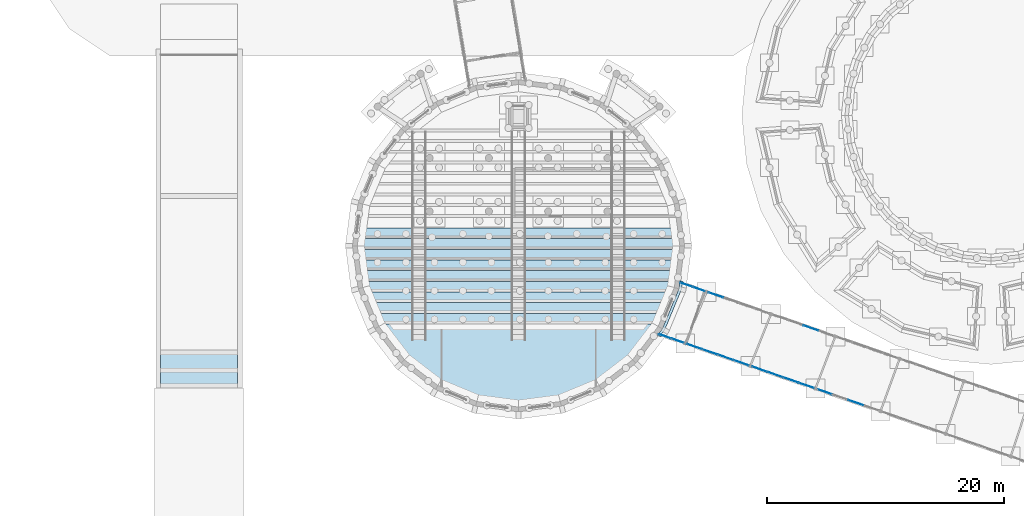
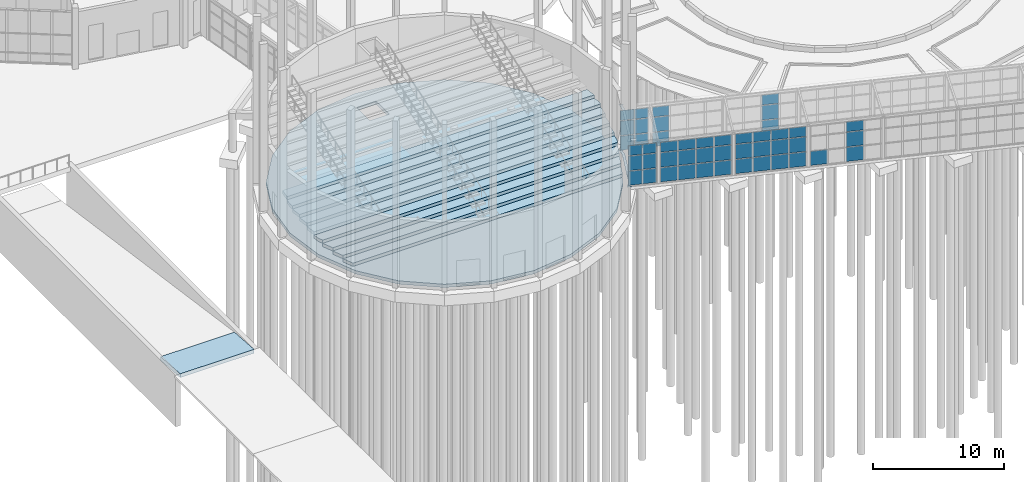
# One storey, part 121 of 226: 48 plates, 11 slabs, 7 elements without a shape of their own.
"""IFC4 building model written with IfcOpenShell, lengths in metres."""

import ifcopenshell
import ifcopenshell.guid

model = None  # the IFC model being written
_history = None  # IfcOwnerHistory: only IFC2X3 demands one
_inside = {}  # id of a spatial element -> (the spatial element, [elements in it])
_under = {}  # id of a project, library or spatial element -> (it, [spatial elements below it])
_declared = {}  # id of a project -> (the project, [libraries it declares])
_typed = {}  # id of a type object -> (the type object, [elements of that type])
_made_of = {}  # id of a material, layer set ... -> (it, [elements and type objects made of it])


def new_model(schema):
    """Start an empty IFC model of exactly this schema.

    Asked for "IFC4X3", IfcOpenShell would pick the latest addendum, in which some entities
    have other attributes; the version numbers below select the first issue.
    IFC2X3 requires an IfcOwnerHistory on every rooted entity: one is made here for all.
    """
    global model, _history
    if schema == "IFC4X3":
        model = ifcopenshell.file(schema_version=(4, 3, 0, 0))
    else:
        model = ifcopenshell.file(schema=schema)
    _inside.clear()
    _under.clear()
    _declared.clear()
    _typed.clear()
    _made_of.clear()
    _history = None
    if model.schema == "IFC2X3":
        org = make("IfcOrganization", Name="unknown")
        user = make(
            "IfcPersonAndOrganization",
            ThePerson=make("IfcPerson", FamilyName="unknown"),
            TheOrganization=org,
        )
        app = make(
            "IfcApplication",
            ApplicationDeveloper=org,
            Version="unknown",
            ApplicationFullName="unknown",
            ApplicationIdentifier="unknown",
        )
        _history = make(
            "IfcOwnerHistory",
            OwningUser=user,
            OwningApplication=app,
            ChangeAction="ADDED",
            CreationDate=0,
        )
    return model


def make(cls, **values):
    """One entity of the class cls with the attributes given. An attribute that is None is left unset."""
    return model.create_entity(
        cls, **{name: value for name, value in values.items() if value is not None}
    )


def rooted(cls, **values):
    """An entity with a GlobalId (a new one), such as an element, a storey or a relation."""
    return make(cls, GlobalId=ifcopenshell.guid.new(), OwnerHistory=_history, **values)


def si_unit(unit_type, name, prefix=None):
    """IfcSIUnit, for example si_unit("LENGTHUNIT", "METRE", prefix="MILLI")."""
    return make("IfcSIUnit", UnitType=unit_type, Prefix=prefix, Name=name)


def assignment(units):
    """IfcUnitAssignment: the units of a project."""
    return None if units is None else make("IfcUnitAssignment", Units=units)


def point(xyz):
    """IfcCartesianPoint."""
    return None if xyz is None else make("IfcCartesianPoint", Coordinates=xyz)


def direction(xyz):
    """IfcDirection."""
    return None if xyz is None else make("IfcDirection", DirectionRatios=xyz)


def frame(location, z_axis=None, x_axis=None):
    """IfcAxis2Placement3D, a coordinate frame: its origin and axes. An axis left out is left unset."""
    return make(
        "IfcAxis2Placement3D",
        Location=point(location),
        Axis=direction(z_axis),
        RefDirection=direction(x_axis),
    )


def frame_2d(location, x_axis=None):
    """IfcAxis2Placement2D, a coordinate frame in the plane: its origin and x axis."""
    return make(
        "IfcAxis2Placement2D", Location=point(location), RefDirection=direction(x_axis)
    )


def origin():
    """The frame at (0, 0, 0) with its axes left unset."""
    return frame((0.0, 0.0, 0.0))


def origin_2d():
    """The frame at (0, 0) in the plane with its x axis left unset."""
    return frame_2d((0.0, 0.0))


def place(relative_to, where):
    """IfcLocalPlacement: puts the frame where relative to a parent placement (None: the world)."""
    return make(
        "IfcLocalPlacement", PlacementRelTo=relative_to, RelativePlacement=where
    )


def context(
    kind, dimensions, precision=None, world=None, true_north=None, identifier=None
):
    """IfcGeometricRepresentationContext, for example the 3D "Model" context."""
    return make(
        "IfcGeometricRepresentationContext",
        ContextIdentifier=identifier,
        ContextType=kind,
        CoordinateSpaceDimension=dimensions,
        Precision=precision,
        WorldCoordinateSystem=world,
        TrueNorth=true_north,
    )


def subcontext(parent, identifier, kind, view, scale=None):
    """IfcGeometricRepresentationSubContext, for example "Body" below "Model"."""
    return make(
        "IfcGeometricRepresentationSubContext",
        ContextIdentifier=identifier,
        ContextType=kind,
        ParentContext=parent,
        TargetScale=scale,
        TargetView=view,
    )


def project(units=None, contexts=None):
    """IfcProject with its units and contexts."""
    return rooted(
        "IfcProject",
        Name="project",
        RepresentationContexts=contexts,
        UnitsInContext=assignment(units),
    )


def spatial(cls, under=None, at=None, **own):
    """A site, building, storey or space (cls), placed at a placement, below another one or the project."""
    s = rooted(cls, ObjectPlacement=at, **own)
    if under is not None:
        _under.setdefault(under.id(), (under, []))[1].append(s)
    return s


def polyline(points):
    """IfcPolyline through the points."""
    return make("IfcPolyline", Points=[point(p) for p in points])


def profile(cls, at=None, kind="AREA", **sizes):
    """A parametric profile (cls). Its sizes go by their IFC names, for example OverallWidth=200.0."""
    return make(cls, ProfileType=kind, Position=at, **sizes)


def rectangle(**sizes):
    """IfcRectangleProfileDef."""
    return profile("IfcRectangleProfileDef", **sizes)


def outline(outer, holes=None, kind="AREA"):
    """IfcArbitraryClosedProfileDef: a profile drawn as a closed curve; with holes, ...WithVoids."""
    if holes is None:
        return make("IfcArbitraryClosedProfileDef", ProfileType=kind, OuterCurve=outer)
    return make(
        "IfcArbitraryProfileDefWithVoids",
        ProfileType=kind,
        OuterCurve=outer,
        InnerCurves=holes,
    )


def extrude(swept, where, along, depth):
    """IfcExtrudedAreaSolid: the profile swept, set in the frame where, extruded along a direction by depth."""
    return make(
        "IfcExtrudedAreaSolid",
        SweptArea=swept,
        Position=where,
        ExtrudedDirection=direction(along),
        Depth=depth,
    )


def shape(context_of_items, identifier, shape_type, items):
    """IfcShapeRepresentation: the items that make up one representation, for example the "Body"."""
    return make(
        "IfcShapeRepresentation",
        ContextOfItems=context_of_items,
        RepresentationIdentifier=identifier,
        RepresentationType=shape_type,
        Items=items,
    )


def material(Name=None, Category=None):
    """IfcMaterial."""
    return make("IfcMaterial", Name=Name, Category=Category)


def layer(
    of_material, thickness, ventilated=None, Name=None, Category=None, Priority=None
):
    """IfcMaterialLayer: one layer of a wall or slab, of a material (None: an air gap)."""
    return make(
        "IfcMaterialLayer",
        Material=of_material,
        LayerThickness=thickness,
        IsVentilated=ventilated,
        Name=Name,
        Category=Category,
        Priority=Priority,
    )


def layer_set(layers, Name=None):
    """IfcMaterialLayerSet."""
    return make("IfcMaterialLayerSet", MaterialLayers=layers, LayerSetName=Name)


def made_of(thing, what):
    """Note that an element or type object is made of a material, layer set ...; save() writes the relation."""
    if what is not None:
        _made_of.setdefault(what.id(), (what, []))[1].append(thing)
    return thing


def type_object(cls, material=None, **own):
    """A type object (cls), such as IfcWallType, which elements share."""
    return made_of(rooted(cls, **own), material)


def element(
    cls,
    number,
    at=None,
    inside=None,
    cuts=None,
    type_object=None,
    material=None,
    context=None,
    identifier="Body",
    shape_type=None,
    held_by="IfcProductDefinitionShape",
    body=None,
    shapes=None,
    **own,
):
    """One element of the class cls, such as IfcWall. Its Tag is "e" and its number.

    at: its placement. inside: the storey or other place that contains it. cuts: it is an
    opening in that element (IfcRelVoidsElement). A single representation is given by context,
    identifier, shape_type and body (its items); several are given by shapes. held_by: the class
    of the entity that holds the representations. save() writes the other relations.
    """
    e = rooted(cls, Tag="e%d" % number, ObjectPlacement=at, **own)
    if body is not None:
        shapes = [shape(context, identifier, shape_type, body)]
    if shapes is not None:
        e.Representation = make(held_by, Representations=shapes)
    if inside is not None:
        _inside.setdefault(inside.id(), (inside, []))[1].append(e)
    if cuts is not None:
        rooted(
            "IfcRelVoidsElement", RelatingBuildingElement=cuts, RelatedOpeningElement=e
        )
    if type_object is not None:
        _typed.setdefault(type_object.id(), (type_object, []))[1].append(e)
    return made_of(e, material)


def aggregate(whole, parts):
    """IfcRelAggregates: a whole, such as a stair, and the parts it consists of."""
    return rooted("IfcRelAggregates", RelatingObject=whole, RelatedObjects=parts)


def save(model, path):
    """Write the relations noted so far, then the file.

    IfcRelAggregates (storeys below a building ...), IfcRelContainedInSpatialStructure (elements
    in a storey), IfcRelDefinesByType, IfcRelAssociatesMaterial and IfcRelDeclares: one each for
    every whole, place, type object, material and project.
    """
    for whole, parts in _under.values():
        aggregate(whole, parts)
    for where, things in _inside.values():
        rooted(
            "IfcRelContainedInSpatialStructure",
            RelatedElements=things,
            RelatingStructure=where,
        )
    for kind, things in _typed.values():
        rooted("IfcRelDefinesByType", RelatedObjects=things, RelatingType=kind)
    for what, things in _made_of.values():
        rooted("IfcRelAssociatesMaterial", RelatedObjects=things, RelatingMaterial=what)
    for by, libraries in _declared.values():
        rooted("IfcRelDeclares", RelatingContext=by, RelatedDefinitions=libraries)
    model.write(path)


model = new_model("IFC4")

# Units and contexts
model_context = context("Model", 3, precision=1e-05, world=origin(), true_north=direction((0.0, 1.0)))
body_context = subcontext(model_context, "Body", "Model", "MODEL_VIEW")
ifc_project = project(units=[si_unit("LENGTHUNIT", "METRE"), si_unit("AREAUNIT", "SQUARE_METRE"), si_unit("VOLUMEUNIT", "CUBIC_METRE"), si_unit("PLANEANGLEUNIT", "RADIAN"), si_unit("MASSUNIT", "GRAM", prefix="KILO")], contexts=[model_context])

# Site, building, storey
site_placement = place(None, origin())
site = spatial("IfcSite", under=ifc_project, at=site_placement, CompositionType="ELEMENT")
building_placement = place(site_placement, origin())
building = spatial("IfcBuilding", under=site, at=building_placement, Name="Ceibo Conservatory and Research Tower", CompositionType="ELEMENT")
storey_placement = place(building_placement, origin())
storey = spatial("IfcBuildingStorey", under=building, at=storey_placement, Name="L00", CompositionType="ELEMENT", Elevation=0.0)

# Curtain wall, plates
ifc_material_1 = material(Name="Aluminium and glass", Category="aluminium")
curtain_wall_type = type_object("IfcCurtainWallType", Name="Gallery curtain wall", PredefinedType="NOTDEFINED", material=ifc_material_1)
curtain_wall_1_placement = place(storey_placement, origin())
curtain_wall_1 = element("IfcCurtainWall", 1, at=curtain_wall_1_placement, inside=storey, type_object=curtain_wall_type, Name="Gallery curtain wall AUD-VC-CWN01", PredefinedType="NOTDEFINED")
ifc_material_2 = material(Name="Laminated glass", Category="glass")
ifc_layer_1 = layer(ifc_material_2, 0.028076171875)
ifc_layer_set_1 = layer_set([ifc_layer_1], Name="Laminated glass")
plate_type_1 = type_object("IfcPlateType", Name="Gallery glass 28", PredefinedType="CURTAIN_PANEL", material=ifc_layer_set_1)
plate_1_placement = place(storey_placement, frame((70.330322265625, 68.715087890625, 0.06005859375), z_axis=(0.0, 0.0, 1.0), x_axis=(0.944579236191, -0.328283515513, 0.0)))
plate_1 = element("IfcPlate", 2, at=plate_1_placement, type_object=plate_type_1, Name="AUD-VC-CWN01 panel 1.1", PredefinedType="CURTAIN_PANEL", context=body_context, shape_type="SweptSolid", body=[
    extrude(rectangle(XDim=1.06005859375, YDim=0.028076171875, at=origin_2d()), origin(), (0.0, 0.0, 1.0), 1.31005859375),
])
plate_2_placement = place(storey_placement, frame((70.330322265625, 68.715087890625, 1.43017578125), z_axis=(0.0, 0.0, 1.0), x_axis=(0.944579236191, -0.328283515513, 0.0)))
plate_2 = element("IfcPlate", 3, at=plate_2_placement, type_object=plate_type_1, Name="AUD-VC-CWN01 panel 1.2", PredefinedType="CURTAIN_PANEL", context=body_context, shape_type="SweptSolid", body=[
    extrude(rectangle(XDim=1.06005859375, YDim=0.028076171875, at=origin_2d()), origin(), (0.0, 0.0, 1.0), 1.340087890625),
])
plate_3_placement = place(storey_placement, frame((70.330322265625, 68.715087890625, 2.830078125), z_axis=(0.0, 0.0, 1.0), x_axis=(0.944579236191, -0.328283515513, 0.0)))
plate_3 = element("IfcPlate", 4, at=plate_3_placement, type_object=plate_type_1, Name="AUD-VC-CWN01 panel 1.3", PredefinedType="CURTAIN_PANEL", context=body_context, shape_type="SweptSolid", body=[
    extrude(rectangle(XDim=1.06005859375, YDim=0.028076171875, at=origin_2d()), origin(), (0.0, 0.0, 1.0), 0.909912109375),
])
plate_4_placement = place(storey_placement, frame((71.388427734375, 68.347412109375, 0.06005859375), z_axis=(0.0, 0.0, 1.0), x_axis=(0.944579236191, -0.328283515513, 0.0)))
plate_4 = element("IfcPlate", 5, at=plate_4_placement, type_object=plate_type_1, Name="AUD-VC-CWN01 panel 2.1", PredefinedType="CURTAIN_PANEL", context=body_context, shape_type="SweptSolid", body=[
    extrude(rectangle(XDim=1.06005859375, YDim=0.028076171875, at=origin_2d()), origin(), (0.0, 0.0, 1.0), 1.31005859375),
])
plate_5_placement = place(storey_placement, frame((71.388427734375, 68.347412109375, 1.43017578125), z_axis=(0.0, 0.0, 1.0), x_axis=(0.944579236191, -0.328283515513, 0.0)))
plate_5 = element("IfcPlate", 6, at=plate_5_placement, type_object=plate_type_1, Name="AUD-VC-CWN01 panel 2.2", PredefinedType="CURTAIN_PANEL", context=body_context, shape_type="SweptSolid", body=[
    extrude(rectangle(XDim=1.06005859375, YDim=0.028076171875, at=origin_2d()), origin(), (0.0, 0.0, 1.0), 1.340087890625),
])
plate_6_placement = place(storey_placement, frame((71.388427734375, 68.347412109375, 2.830078125), z_axis=(0.0, 0.0, 1.0), x_axis=(0.944579236191, -0.328283515513, 0.0)))
plate_6 = element("IfcPlate", 7, at=plate_6_placement, type_object=plate_type_1, Name="AUD-VC-CWN01 panel 2.3", PredefinedType="CURTAIN_PANEL", context=body_context, shape_type="SweptSolid", body=[
    extrude(rectangle(XDim=1.06005859375, YDim=0.028076171875, at=origin_2d()), origin(), (0.0, 0.0, 1.0), 0.909912109375),
])
aggregate(curtain_wall_1, [plate_1, plate_2, plate_3, plate_4, plate_5, plate_6])

curtain_wall_2_placement = place(storey_placement, origin())
curtain_wall_2 = element("IfcCurtainWall", 8, at=curtain_wall_2_placement, inside=storey, type_object=curtain_wall_type, Name="Gallery curtain wall AUD-VC-CWN02", PredefinedType="NOTDEFINED")
plate_7_placement = place(storey_placement, frame((72.802734375, 67.85595703125, 0.06005859375), z_axis=(0.0, 0.0, 1.0), x_axis=(0.944579236191, -0.328283515513, 0.0)))
plate_7 = element("IfcPlate", 9, at=plate_7_placement, type_object=plate_type_1, Name="AUD-VC-CWN02 panel 1.1", PredefinedType="CURTAIN_PANEL", context=body_context, shape_type="SweptSolid", body=[
    extrude(rectangle(XDim=1.294677734375, YDim=0.028076171875, at=origin_2d()), origin(), (0.0, 0.0, 1.0), 1.31005859375),
])
plate_8_placement = place(storey_placement, frame((72.802734375, 67.85595703125, 1.43017578125), z_axis=(0.0, 0.0, 1.0), x_axis=(0.944579236191, -0.328283515513, 0.0)))
plate_8 = element("IfcPlate", 10, at=plate_8_placement, type_object=plate_type_1, Name="AUD-VC-CWN02 panel 1.2", PredefinedType="CURTAIN_PANEL", context=body_context, shape_type="SweptSolid", body=[
    extrude(rectangle(XDim=1.294677734375, YDim=0.028076171875, at=origin_2d()), origin(), (0.0, 0.0, 1.0), 1.340087890625),
])
plate_9_placement = place(storey_placement, frame((72.802734375, 67.85595703125, 2.830078125), z_axis=(0.0, 0.0, 1.0), x_axis=(0.944579236191, -0.328283515513, 0.0)))
plate_9 = element("IfcPlate", 11, at=plate_9_placement, type_object=plate_type_1, Name="AUD-VC-CWN02 panel 1.3", PredefinedType="CURTAIN_PANEL", context=body_context, shape_type="SweptSolid", body=[
    extrude(rectangle(XDim=1.294677734375, YDim=0.028076171875, at=origin_2d()), origin(), (0.0, 0.0, 1.0), 0.909912109375),
])
aggregate(curtain_wall_2, [plate_7, plate_8, plate_9])

curtain_wall_3_placement = place(storey_placement, origin())
curtain_wall_3 = element("IfcCurtainWall", 12, at=curtain_wall_3_placement, inside=storey, type_object=curtain_wall_type, Name="Gallery curtain wall AUD-VC-CWN03", PredefinedType="NOTDEFINED")
plate_10_placement = place(storey_placement, frame((80.824951171875, 65.067626953125, 0.06005859375), z_axis=(0.0, 0.0, 1.0), x_axis=(0.944579236191, -0.328283515513, 0.0)))
plate_10 = element("IfcPlate", 13, at=plate_10_placement, type_object=plate_type_1, Name="AUD-VC-CWN03 panel 3.1", PredefinedType="CURTAIN_PANEL", context=body_context, shape_type="SweptSolid", body=[
    extrude(rectangle(XDim=1.32470703125, YDim=0.028076171875, at=origin_2d()), origin(), (0.0, 0.0, 1.0), 1.31005859375),
])
plate_11_placement = place(storey_placement, frame((80.824951171875, 65.067626953125, 1.43017578125), z_axis=(0.0, 0.0, 1.0), x_axis=(0.944579236191, -0.328283515513, 0.0)))
plate_11 = element("IfcPlate", 14, at=plate_11_placement, type_object=plate_type_1, Name="AUD-VC-CWN03 panel 3.2", PredefinedType="CURTAIN_PANEL", context=body_context, shape_type="SweptSolid", body=[
    extrude(rectangle(XDim=1.32470703125, YDim=0.028076171875, at=origin_2d()), origin(), (0.0, 0.0, 1.0), 1.340087890625),
])
plate_12_placement = place(storey_placement, frame((80.824951171875, 65.067626953125, 2.830078125), z_axis=(0.0, 0.0, 1.0), x_axis=(0.944579236191, -0.328283515513, 0.0)))
plate_12 = element("IfcPlate", 15, at=plate_12_placement, type_object=plate_type_1, Name="AUD-VC-CWN03 panel 3.3", PredefinedType="CURTAIN_PANEL", context=body_context, shape_type="SweptSolid", body=[
    extrude(rectangle(XDim=1.32470703125, YDim=0.028076171875, at=origin_2d()), origin(), (0.0, 0.0, 1.0), 0.909912109375),
])
aggregate(curtain_wall_3, [plate_10, plate_11, plate_12])

curtain_wall_4_placement = place(storey_placement, origin())
curtain_wall_4 = element("IfcCurtainWall", 16, at=curtain_wall_4_placement, inside=storey, type_object=curtain_wall_type, Name="Gallery curtain wall AUD-VC-CWS01", PredefinedType="NOTDEFINED")
plate_13_placement = place(storey_placement, frame((68.524658203125, 64.366943359375, 0.06005859375), z_axis=(0.0, 0.0, 1.0), x_axis=(0.944579236191, -0.328283515513, 0.0)))
plate_13 = element("IfcPlate", 17, at=plate_13_placement, type_object=plate_type_1, Name="AUD-VC-CWS01 panel 1.1", PredefinedType="CURTAIN_PANEL", context=body_context, shape_type="SweptSolid", body=[
    extrude(rectangle(XDim=1.06005859375, YDim=0.028076171875, at=origin_2d()), origin(), (0.0, 0.0, 1.0), 1.31005859375),
])
plate_14_placement = place(storey_placement, frame((68.524658203125, 64.366943359375, 1.43017578125), z_axis=(0.0, 0.0, 1.0), x_axis=(0.944579236191, -0.328283515513, 0.0)))
plate_14 = element("IfcPlate", 18, at=plate_14_placement, type_object=plate_type_1, Name="AUD-VC-CWS01 panel 1.2", PredefinedType="CURTAIN_PANEL", context=body_context, shape_type="SweptSolid", body=[
    extrude(rectangle(XDim=1.06005859375, YDim=0.028076171875, at=origin_2d()), origin(), (0.0, 0.0, 1.0), 1.340087890625),
])
plate_15_placement = place(storey_placement, frame((68.524658203125, 64.366943359375, 2.830078125), z_axis=(0.0, 0.0, 1.0), x_axis=(0.944579236191, -0.328283515513, 0.0)))
plate_15 = element("IfcPlate", 19, at=plate_15_placement, type_object=plate_type_1, Name="AUD-VC-CWS01 panel 1.3", PredefinedType="CURTAIN_PANEL", context=body_context, shape_type="SweptSolid", body=[
    extrude(rectangle(XDim=1.06005859375, YDim=0.028076171875, at=origin_2d()), origin(), (0.0, 0.0, 1.0), 0.909912109375),
])
plate_16_placement = place(storey_placement, frame((69.58251953125, 63.999267578125, 0.06005859375), z_axis=(0.0, 0.0, 1.0), x_axis=(0.944579236191, -0.328283515513, 0.0)))
plate_16 = element("IfcPlate", 20, at=plate_16_placement, type_object=plate_type_1, Name="AUD-VC-CWS01 panel 2.1", PredefinedType="CURTAIN_PANEL", context=body_context, shape_type="SweptSolid", body=[
    extrude(rectangle(XDim=1.06005859375, YDim=0.028076171875, at=origin_2d()), origin(), (0.0, 0.0, 1.0), 1.31005859375),
])
plate_17_placement = place(storey_placement, frame((69.58251953125, 63.999267578125, 1.43017578125), z_axis=(0.0, 0.0, 1.0), x_axis=(0.944579236191, -0.328283515513, 0.0)))
plate_17 = element("IfcPlate", 21, at=plate_17_placement, type_object=plate_type_1, Name="AUD-VC-CWS01 panel 2.2", PredefinedType="CURTAIN_PANEL", context=body_context, shape_type="SweptSolid", body=[
    extrude(rectangle(XDim=1.06005859375, YDim=0.028076171875, at=origin_2d()), origin(), (0.0, 0.0, 1.0), 1.340087890625),
])
plate_18_placement = place(storey_placement, frame((69.58251953125, 63.999267578125, 2.830078125), z_axis=(0.0, 0.0, 1.0), x_axis=(0.944579236191, -0.328283515513, 0.0)))
plate_18 = element("IfcPlate", 22, at=plate_18_placement, type_object=plate_type_1, Name="AUD-VC-CWS01 panel 2.3", PredefinedType="CURTAIN_PANEL", context=body_context, shape_type="SweptSolid", body=[
    extrude(rectangle(XDim=1.06005859375, YDim=0.028076171875, at=origin_2d()), origin(), (0.0, 0.0, 1.0), 0.909912109375),
])
aggregate(curtain_wall_4, [plate_13, plate_14, plate_15, plate_16, plate_17, plate_18])

curtain_wall_5_placement = place(storey_placement, origin())
curtain_wall_5 = element("IfcCurtainWall", 23, at=curtain_wall_5_placement, inside=storey, type_object=curtain_wall_type, Name="Gallery curtain wall AUD-VC-CWS02", PredefinedType="NOTDEFINED")
plate_19_placement = place(storey_placement, frame((71.00537109375, 63.504638671875, 0.06005859375), z_axis=(0.0, 0.0, 1.0), x_axis=(0.944579236191, -0.328283515513, 0.0)))
plate_19 = element("IfcPlate", 24, at=plate_19_placement, type_object=plate_type_1, Name="AUD-VC-CWS02 panel 1.1", PredefinedType="CURTAIN_PANEL", context=body_context, shape_type="SweptSolid", body=[
    extrude(rectangle(XDim=1.3125, YDim=0.028076171875, at=origin_2d()), origin(), (0.0, 0.0, 1.0), 1.31005859375),
])
plate_20_placement = place(storey_placement, frame((71.00537109375, 63.504638671875, 1.43017578125), z_axis=(0.0, 0.0, 1.0), x_axis=(0.944579236191, -0.328283515513, 0.0)))
plate_20 = element("IfcPlate", 25, at=plate_20_placement, type_object=plate_type_1, Name="AUD-VC-CWS02 panel 1.2", PredefinedType="CURTAIN_PANEL", context=body_context, shape_type="SweptSolid", body=[
    extrude(rectangle(XDim=1.3125, YDim=0.028076171875, at=origin_2d()), origin(), (0.0, 0.0, 1.0), 1.340087890625),
])
plate_21_placement = place(storey_placement, frame((71.00537109375, 63.504638671875, 2.830078125), z_axis=(0.0, 0.0, 1.0), x_axis=(0.944579236191, -0.328283515513, 0.0)))
plate_21 = element("IfcPlate", 26, at=plate_21_placement, type_object=plate_type_1, Name="AUD-VC-CWS02 panel 1.3", PredefinedType="CURTAIN_PANEL", context=body_context, shape_type="SweptSolid", body=[
    extrude(rectangle(XDim=1.3125, YDim=0.028076171875, at=origin_2d()), origin(), (0.0, 0.0, 1.0), 0.909912109375),
])
plate_22_placement = place(storey_placement, frame((72.31591796875, 63.04931640625, 0.06005859375), z_axis=(0.0, 0.0, 1.0), x_axis=(0.944579236191, -0.328283515513, 0.0)))
plate_22 = element("IfcPlate", 27, at=plate_22_placement, type_object=plate_type_1, Name="AUD-VC-CWS02 panel 2.1", PredefinedType="CURTAIN_PANEL", context=body_context, shape_type="SweptSolid", body=[
    extrude(rectangle(XDim=1.342529296875, YDim=0.028076171875, at=origin_2d()), origin(), (0.0, 0.0, 1.0), 1.31005859375),
])
plate_23_placement = place(storey_placement, frame((72.31591796875, 63.04931640625, 1.43017578125), z_axis=(0.0, 0.0, 1.0), x_axis=(0.944579236191, -0.328283515513, 0.0)))
plate_23 = element("IfcPlate", 28, at=plate_23_placement, type_object=plate_type_1, Name="AUD-VC-CWS02 panel 2.2", PredefinedType="CURTAIN_PANEL", context=body_context, shape_type="SweptSolid", body=[
    extrude(rectangle(XDim=1.342529296875, YDim=0.028076171875, at=origin_2d()), origin(), (0.0, 0.0, 1.0), 1.340087890625),
])
plate_24_placement = place(storey_placement, frame((72.31591796875, 63.04931640625, 2.830078125), z_axis=(0.0, 0.0, 1.0), x_axis=(0.944579236191, -0.328283515513, 0.0)))
plate_24 = element("IfcPlate", 29, at=plate_24_placement, type_object=plate_type_1, Name="AUD-VC-CWS02 panel 2.3", PredefinedType="CURTAIN_PANEL", context=body_context, shape_type="SweptSolid", body=[
    extrude(rectangle(XDim=1.342529296875, YDim=0.028076171875, at=origin_2d()), origin(), (0.0, 0.0, 1.0), 0.909912109375),
])
plate_25_placement = place(storey_placement, frame((73.640869140625, 62.5888671875, 0.06005859375), z_axis=(0.0, 0.0, 1.0), x_axis=(0.944579236191, -0.328283515513, 0.0)))
plate_25 = element("IfcPlate", 30, at=plate_25_placement, type_object=plate_type_1, Name="AUD-VC-CWS02 panel 3.1", PredefinedType="CURTAIN_PANEL", context=body_context, shape_type="SweptSolid", body=[
    extrude(rectangle(XDim=1.342529296875, YDim=0.028076171875, at=origin_2d()), origin(), (0.0, 0.0, 1.0), 1.31005859375),
])
plate_26_placement = place(storey_placement, frame((73.640869140625, 62.5888671875, 1.43017578125), z_axis=(0.0, 0.0, 1.0), x_axis=(0.944579236191, -0.328283515513, 0.0)))
plate_26 = element("IfcPlate", 31, at=plate_26_placement, type_object=plate_type_1, Name="AUD-VC-CWS02 panel 3.2", PredefinedType="CURTAIN_PANEL", context=body_context, shape_type="SweptSolid", body=[
    extrude(rectangle(XDim=1.342529296875, YDim=0.028076171875, at=origin_2d()), origin(), (0.0, 0.0, 1.0), 1.340087890625),
])
plate_27_placement = place(storey_placement, frame((73.640869140625, 62.5888671875, 2.830078125), z_axis=(0.0, 0.0, 1.0), x_axis=(0.944579236191, -0.328283515513, 0.0)))
plate_27 = element("IfcPlate", 32, at=plate_27_placement, type_object=plate_type_1, Name="AUD-VC-CWS02 panel 3.3", PredefinedType="CURTAIN_PANEL", context=body_context, shape_type="SweptSolid", body=[
    extrude(rectangle(XDim=1.342529296875, YDim=0.028076171875, at=origin_2d()), origin(), (0.0, 0.0, 1.0), 0.909912109375),
])
plate_28_placement = place(storey_placement, frame((74.951416015625, 62.13330078125, 0.06005859375), z_axis=(0.0, 0.0, 1.0), x_axis=(0.944579236191, -0.328283515513, 0.0)))
plate_28 = element("IfcPlate", 33, at=plate_28_placement, type_object=plate_type_1, Name="AUD-VC-CWS02 panel 4.1", PredefinedType="CURTAIN_PANEL", context=body_context, shape_type="SweptSolid", body=[
    extrude(rectangle(XDim=1.3125, YDim=0.028076171875, at=origin_2d()), origin(), (0.0, 0.0, 1.0), 1.31005859375),
])
plate_29_placement = place(storey_placement, frame((74.951416015625, 62.13330078125, 1.43017578125), z_axis=(0.0, 0.0, 1.0), x_axis=(0.944579236191, -0.328283515513, 0.0)))
plate_29 = element("IfcPlate", 34, at=plate_29_placement, type_object=plate_type_1, Name="AUD-VC-CWS02 panel 4.2", PredefinedType="CURTAIN_PANEL", context=body_context, shape_type="SweptSolid", body=[
    extrude(rectangle(XDim=1.3125, YDim=0.028076171875, at=origin_2d()), origin(), (0.0, 0.0, 1.0), 1.340087890625),
])
plate_30_placement = place(storey_placement, frame((74.951416015625, 62.13330078125, 2.830078125), z_axis=(0.0, 0.0, 1.0), x_axis=(0.944579236191, -0.328283515513, 0.0)))
plate_30 = element("IfcPlate", 35, at=plate_30_placement, type_object=plate_type_1, Name="AUD-VC-CWS02 panel 4.3", PredefinedType="CURTAIN_PANEL", context=body_context, shape_type="SweptSolid", body=[
    extrude(rectangle(XDim=1.3125, YDim=0.028076171875, at=origin_2d()), origin(), (0.0, 0.0, 1.0), 0.909912109375),
])
aggregate(curtain_wall_5, [plate_19, plate_20, plate_21, plate_22, plate_23, plate_24, plate_25, plate_26, plate_27, plate_28, plate_29, plate_30])

curtain_wall_6_placement = place(storey_placement, origin())
curtain_wall_6 = element("IfcCurtainWall", 36, at=curtain_wall_6_placement, inside=storey, type_object=curtain_wall_type, Name="Gallery curtain wall AUD-VC-CWS03", PredefinedType="NOTDEFINED")
plate_31_placement = place(storey_placement, frame((76.49365234375, 61.597412109375, 0.06005859375), z_axis=(0.0, 0.0, 1.0), x_axis=(0.944579236191, -0.328283515513, 0.0)))
plate_31 = element("IfcPlate", 37, at=plate_31_placement, type_object=plate_type_1, Name="AUD-VC-CWS03 panel 1.1", PredefinedType="CURTAIN_PANEL", context=body_context, shape_type="SweptSolid", body=[
    extrude(rectangle(XDim=1.3125, YDim=0.028076171875, at=origin_2d()), origin(), (0.0, 0.0, 1.0), 1.31005859375),
])
plate_32_placement = place(storey_placement, frame((76.49365234375, 61.597412109375, 1.43017578125), z_axis=(0.0, 0.0, 1.0), x_axis=(0.944579236191, -0.328283515513, 0.0)))
plate_32 = element("IfcPlate", 38, at=plate_32_placement, type_object=plate_type_1, Name="AUD-VC-CWS03 panel 1.2", PredefinedType="CURTAIN_PANEL", context=body_context, shape_type="SweptSolid", body=[
    extrude(rectangle(XDim=1.3125, YDim=0.028076171875, at=origin_2d()), origin(), (0.0, 0.0, 1.0), 1.340087890625),
])
plate_33_placement = place(storey_placement, frame((76.49365234375, 61.597412109375, 2.830078125), z_axis=(0.0, 0.0, 1.0), x_axis=(0.944579236191, -0.328283515513, 0.0)))
plate_33 = element("IfcPlate", 39, at=plate_33_placement, type_object=plate_type_1, Name="AUD-VC-CWS03 panel 1.3", PredefinedType="CURTAIN_PANEL", context=body_context, shape_type="SweptSolid", body=[
    extrude(rectangle(XDim=1.3125, YDim=0.028076171875, at=origin_2d()), origin(), (0.0, 0.0, 1.0), 0.909912109375),
])
plate_34_placement = place(storey_placement, frame((77.80419921875, 61.141845703125, 0.06005859375), z_axis=(0.0, 0.0, 1.0), x_axis=(0.944579236191, -0.328283515513, 0.0)))
plate_34 = element("IfcPlate", 40, at=plate_34_placement, type_object=plate_type_1, Name="AUD-VC-CWS03 panel 2.1", PredefinedType="CURTAIN_PANEL", context=body_context, shape_type="SweptSolid", body=[
    extrude(rectangle(XDim=1.342529296875, YDim=0.028076171875, at=origin_2d()), origin(), (0.0, 0.0, 1.0), 1.31005859375),
])
plate_35_placement = place(storey_placement, frame((77.80419921875, 61.141845703125, 1.43017578125), z_axis=(0.0, 0.0, 1.0), x_axis=(0.944579236191, -0.328283515513, 0.0)))
plate_35 = element("IfcPlate", 41, at=plate_35_placement, type_object=plate_type_1, Name="AUD-VC-CWS03 panel 2.2", PredefinedType="CURTAIN_PANEL", context=body_context, shape_type="SweptSolid", body=[
    extrude(rectangle(XDim=1.342529296875, YDim=0.028076171875, at=origin_2d()), origin(), (0.0, 0.0, 1.0), 1.340087890625),
])
plate_36_placement = place(storey_placement, frame((77.80419921875, 61.141845703125, 2.830078125), z_axis=(0.0, 0.0, 1.0), x_axis=(0.944579236191, -0.328283515513, 0.0)))
plate_36 = element("IfcPlate", 42, at=plate_36_placement, type_object=plate_type_1, Name="AUD-VC-CWS03 panel 2.3", PredefinedType="CURTAIN_PANEL", context=body_context, shape_type="SweptSolid", body=[
    extrude(rectangle(XDim=1.342529296875, YDim=0.028076171875, at=origin_2d()), origin(), (0.0, 0.0, 1.0), 0.909912109375),
])
plate_37_placement = place(storey_placement, frame((79.129150390625, 60.681396484375, 0.06005859375), z_axis=(0.0, 0.0, 1.0), x_axis=(0.944579236191, -0.328283515513, 0.0)))
plate_37 = element("IfcPlate", 43, at=plate_37_placement, type_object=plate_type_1, Name="AUD-VC-CWS03 panel 3.1", PredefinedType="CURTAIN_PANEL", context=body_context, shape_type="SweptSolid", body=[
    extrude(rectangle(XDim=1.342529296875, YDim=0.028076171875, at=origin_2d()), origin(), (0.0, 0.0, 1.0), 1.31005859375),
])
plate_38_placement = place(storey_placement, frame((79.129150390625, 60.681396484375, 1.43017578125), z_axis=(0.0, 0.0, 1.0), x_axis=(0.944579236191, -0.328283515513, 0.0)))
plate_38 = element("IfcPlate", 44, at=plate_38_placement, type_object=plate_type_1, Name="AUD-VC-CWS03 panel 3.2", PredefinedType="CURTAIN_PANEL", context=body_context, shape_type="SweptSolid", body=[
    extrude(rectangle(XDim=1.342529296875, YDim=0.028076171875, at=origin_2d()), origin(), (0.0, 0.0, 1.0), 1.340087890625),
])
plate_39_placement = place(storey_placement, frame((79.129150390625, 60.681396484375, 2.830078125), z_axis=(0.0, 0.0, 1.0), x_axis=(0.944579236191, -0.328283515513, 0.0)))
plate_39 = element("IfcPlate", 45, at=plate_39_placement, type_object=plate_type_1, Name="AUD-VC-CWS03 panel 3.3", PredefinedType="CURTAIN_PANEL", context=body_context, shape_type="SweptSolid", body=[
    extrude(rectangle(XDim=1.342529296875, YDim=0.028076171875, at=origin_2d()), origin(), (0.0, 0.0, 1.0), 0.909912109375),
])
plate_40_placement = place(storey_placement, frame((80.439697265625, 60.225830078125, 0.06005859375), z_axis=(0.0, 0.0, 1.0), x_axis=(0.944579236191, -0.328283515513, 0.0)))
plate_40 = element("IfcPlate", 46, at=plate_40_placement, type_object=plate_type_1, Name="AUD-VC-CWS03 panel 4.1", PredefinedType="CURTAIN_PANEL", context=body_context, shape_type="SweptSolid", body=[
    extrude(rectangle(XDim=1.3125, YDim=0.028076171875, at=origin_2d()), origin(), (0.0, 0.0, 1.0), 1.31005859375),
])
plate_41_placement = place(storey_placement, frame((80.439697265625, 60.225830078125, 1.43017578125), z_axis=(0.0, 0.0, 1.0), x_axis=(0.944579236191, -0.328283515513, 0.0)))
plate_41 = element("IfcPlate", 47, at=plate_41_placement, type_object=plate_type_1, Name="AUD-VC-CWS03 panel 4.2", PredefinedType="CURTAIN_PANEL", context=body_context, shape_type="SweptSolid", body=[
    extrude(rectangle(XDim=1.3125, YDim=0.028076171875, at=origin_2d()), origin(), (0.0, 0.0, 1.0), 1.340087890625),
])
plate_42_placement = place(storey_placement, frame((80.439697265625, 60.225830078125, 2.830078125), z_axis=(0.0, 0.0, 1.0), x_axis=(0.944579236191, -0.328283515513, 0.0)))
plate_42 = element("IfcPlate", 48, at=plate_42_placement, type_object=plate_type_1, Name="AUD-VC-CWS03 panel 4.3", PredefinedType="CURTAIN_PANEL", context=body_context, shape_type="SweptSolid", body=[
    extrude(rectangle(XDim=1.3125, YDim=0.028076171875, at=origin_2d()), origin(), (0.0, 0.0, 1.0), 0.909912109375),
])
aggregate(curtain_wall_6, [plate_31, plate_32, plate_33, plate_34, plate_35, plate_36, plate_37, plate_38, plate_39, plate_40, plate_41, plate_42])

curtain_wall_7_placement = place(storey_placement, origin())
curtain_wall_7 = element("IfcCurtainWall", 49, at=curtain_wall_7_placement, inside=storey, type_object=curtain_wall_type, Name="Gallery curtain wall AUD-VC-CWS04", PredefinedType="NOTDEFINED")
plate_43_placement = place(storey_placement, frame((81.98193359375, 59.68994140625, 0.06005859375), z_axis=(0.0, 0.0, 1.0), x_axis=(0.944579236191, -0.328283515513, 0.0)))
plate_43 = element("IfcPlate", 50, at=plate_43_placement, type_object=plate_type_1, Name="AUD-VC-CWS04 panel 1.1", PredefinedType="CURTAIN_PANEL", context=body_context, shape_type="SweptSolid", body=[
    extrude(rectangle(XDim=1.3125, YDim=0.028076171875, at=origin_2d()), origin(), (0.0, 0.0, 1.0), 1.31005859375),
])
plate_44_placement = place(storey_placement, frame((84.617431640625, 58.77392578125, 0.06005859375), z_axis=(0.0, 0.0, 1.0), x_axis=(0.944579236191, -0.328283515513, 0.0)))
plate_44 = element("IfcPlate", 51, at=plate_44_placement, type_object=plate_type_1, Name="AUD-VC-CWS04 panel 3.1", PredefinedType="CURTAIN_PANEL", context=body_context, shape_type="SweptSolid", body=[
    extrude(rectangle(XDim=1.342529296875, YDim=0.028076171875, at=origin_2d()), origin(), (0.0, 0.0, 1.0), 1.31005859375),
])
plate_45_placement = place(storey_placement, frame((84.617431640625, 58.77392578125, 1.43017578125), z_axis=(0.0, 0.0, 1.0), x_axis=(0.944579236191, -0.328283515513, 0.0)))
plate_45 = element("IfcPlate", 52, at=plate_45_placement, type_object=plate_type_1, Name="AUD-VC-CWS04 panel 3.2", PredefinedType="CURTAIN_PANEL", context=body_context, shape_type="SweptSolid", body=[
    extrude(rectangle(XDim=1.342529296875, YDim=0.028076171875, at=origin_2d()), origin(), (0.0, 0.0, 1.0), 1.340087890625),
])
plate_46_placement = place(storey_placement, frame((84.617431640625, 58.77392578125, 2.830078125), z_axis=(0.0, 0.0, 1.0), x_axis=(0.944579236191, -0.328283515513, 0.0)))
plate_46 = element("IfcPlate", 53, at=plate_46_placement, type_object=plate_type_1, Name="AUD-VC-CWS04 panel 3.3", PredefinedType="CURTAIN_PANEL", context=body_context, shape_type="SweptSolid", body=[
    extrude(rectangle(XDim=1.342529296875, YDim=0.028076171875, at=origin_2d()), origin(), (0.0, 0.0, 1.0), 0.909912109375),
])
aggregate(curtain_wall_7, [plate_43, plate_44, plate_45, plate_46])

# Plates
ifc_material_3 = material(Name="Stainless steel AISI 316", Category="steel")
ifc_layer_2 = layer(ifc_material_3, 0.010009765625)
ifc_layer_set_2 = layer_set([ifc_layer_2], Name="Stainless steel AISI 316")
plate_type_2 = type_object("IfcPlateType", Name="Movement joint floor cover plate 10", PredefinedType="SHEET", material=ifc_layer_set_2)
plate_47_placement = place(storey_placement, origin())
element("IfcPlate", 54, at=plate_47_placement, inside=storey, type_object=plate_type_2, Name="Movement joint cover floor AUD-VC-JF01", PredefinedType="SHEET", context=body_context, shape_type="SweptSolid", body=[
    extrude(outline(polyline([(70.085693359375, 68.831787109375), (69.9892578125, 68.865478515625), (69.91943359375, 68.334716796875), (69.911376953125, 68.304443359375), (68.502685546875, 64.903564453125), (68.487060546875, 64.87646484375), (68.1669921875, 64.45947265625), (68.2666015625, 64.4248046875), (68.189453125, 64.32470703125), (67.87109375, 64.435302734375), (68.304443359375, 65.0), (69.702880859375, 68.37646484375), (69.793212890625, 69.060546875), (70.101806640625, 68.953369140625), (70.085693359375, 68.831787109375)])), origin(), (0.0, 0.0, 1.0), 0.010009765625),
])
ifc_layer_3 = layer(ifc_material_3, 0.010009765625)
ifc_layer_set_3 = layer_set([ifc_layer_3], Name="Stainless steel AISI 316")
plate_type_3 = type_object("IfcPlateType", Name="Movement joint roof cover plate 10", PredefinedType="SHEET", material=ifc_layer_set_3)
plate_48_placement = place(storey_placement, frame((0.0, 0.0, 4.199951171875)))
element("IfcPlate", 55, at=plate_48_placement, inside=storey, type_object=plate_type_3, Name="Movement joint cover roof AUD-VC-JR01", PredefinedType="SHEET", context=body_context, shape_type="SweptSolid", body=[
    extrude(outline(polyline([(70.085693359375, 68.831787109375), (69.9892578125, 68.865478515625), (69.91943359375, 68.334716796875), (69.911376953125, 68.304443359375), (68.502685546875, 64.903564453125), (68.487060546875, 64.87646484375), (68.1669921875, 64.45947265625), (68.2666015625, 64.4248046875), (68.189453125, 64.32470703125), (67.87109375, 64.435302734375), (68.304443359375, 65.0), (69.702880859375, 68.37646484375), (69.793212890625, 69.060546875), (70.101806640625, 68.953369140625), (70.085693359375, 68.831787109375)])), origin(), (0.0, 0.0, 1.0), 0.010009765625),
])

# Slabs
ifc_material_4 = material(Name="Concrete C35/45", Category="concrete")
ifc_layer_4 = layer(ifc_material_4, 0.300048828125)
ifc_layer_set_4 = layer_set([ifc_layer_4], Name="Concrete C35/45")
slab_type_1 = type_object("IfcSlabType", Name="RC ground slab 300", PredefinedType="BASESLAB", material=ifc_layer_set_4)
slab_1_placement = place(storey_placement, frame((0.0, 0.0, -0.300048828125)))
element("IfcSlab", 56, at=slab_1_placement, inside=storey, type_object=slab_type_1, Name="Auditorium ground slab", PredefinedType="BASESLAB", context=body_context, shape_type="SweptSolid", body=[
    extrude(outline(polyline([(69.776611328125, 72.0), (69.313232421875, 75.51904296875), (67.955078125, 78.79833984375), (65.794189453125, 81.6142578125), (62.978271484375, 83.77490234375), (59.69921875, 85.13330078125), (56.18017578125, 85.596435546875), (52.6611328125, 85.13330078125), (49.3818359375, 83.77490234375), (46.56591796875, 81.6142578125), (44.405029296875, 78.79833984375), (43.046875, 75.51904296875), (42.58349609375, 72.0), (43.046875, 68.48095703125), (44.405029296875, 65.20166015625), (46.56591796875, 62.3857421875), (49.3818359375, 60.22509765625), (52.6611328125, 58.86669921875), (56.18017578125, 58.403564453125), (59.69921875, 58.86669921875), (62.978271484375, 60.22509765625), (65.794189453125, 62.3857421875), (67.955078125, 65.20166015625), (69.313232421875, 68.48095703125), (69.776611328125, 72.0)]), holes=[polyline([(55.330078125, 81.89990234375), (57.030029296875, 81.89990234375), (57.030029296875, 83.89990234375), (55.330078125, 83.89990234375), (55.330078125, 81.89990234375)])]), origin(), (0.0, 0.0, 1.0), 0.300048828125),
])
ifc_layer_5 = layer(ifc_material_4, 0.35009765625)
ifc_layer_set_5 = layer_set([ifc_layer_5], Name="Concrete C35/45")
slab_type_2 = type_object("IfcSlabType", Name="RC ramp flight 350", PredefinedType="FLOOR", material=ifc_layer_set_5)
slab_2_placement = place(storey_placement, frame((26.0, 60.0, 0.0), z_axis=(0.0, 0.071270124602, 0.997457051376), x_axis=(1.0, 0.0, 0.0)))
element("IfcSlab", 57, at=slab_2_placement, inside=storey, type_object=slab_type_2, Name="Vehicle ramp carriageway flight 1", PredefinedType="FLOOR", context=body_context, shape_type="SweptSolid", body=[
    extrude(outline(polyline([(0.0, 0.0), (6.5, 0.0), (6.5, 3.0076482950941976), (0.0, 3.0076482950941976), (0.0, 0.0)])), origin(), (0.0, 0.071270124602, -0.997457051376), 0.35009765625),
])
ifc_layer_6 = layer(ifc_material_4, 0.300048828125)
ifc_layer_set_6 = layer_set([ifc_layer_6], Name="Concrete C35/45")
slab_type_3 = type_object("IfcSlabType", Name="RC seating slab 300", PredefinedType="FLOOR", material=ifc_layer_set_6)
slab_3_placement = place(storey_placement, frame((0.0, 0.0, 0.300048828125)))
element("IfcSlab", 58, at=slab_3_placement, inside=storey, type_object=slab_type_3, Name="Seating slab R01", PredefinedType="FLOOR", context=body_context, shape_type="SweptSolid", body=[
    extrude(outline(polyline([(43.94873046875, 66.303466796875), (44.321533203125, 65.403564453125), (68.03857421875, 65.403564453125), (68.411376953125, 66.303466796875), (43.94873046875, 66.303466796875)])), origin(), (0.0, 0.0, 1.0), 0.300048828125),
])
slab_4_placement = place(storey_placement, frame((0.0, 0.0, 0.60009765625)))
element("IfcSlab", 59, at=slab_4_placement, inside=storey, type_object=slab_type_3, Name="Seating slab R02", PredefinedType="FLOOR", context=body_context, shape_type="SweptSolid", body=[
    extrude(outline(polyline([(43.575927734375, 67.203369140625), (43.94873046875, 66.303466796875), (68.411376953125, 66.303466796875), (68.7841796875, 67.203369140625), (43.575927734375, 67.203369140625)])), origin(), (0.0, 0.0, 1.0), 0.2998046875),
])
slab_5_placement = place(storey_placement, frame((0.0, 0.0, 0.89990234375)))
element("IfcSlab", 60, at=slab_5_placement, inside=storey, type_object=slab_type_3, Name="Seating slab R03", PredefinedType="FLOOR", context=body_context, shape_type="SweptSolid", body=[
    extrude(outline(polyline([(43.203125, 68.103515625), (43.575927734375, 67.203369140625), (68.7841796875, 67.203369140625), (69.156982421875, 68.103515625), (43.203125, 68.103515625)])), origin(), (0.0, 0.0, 1.0), 0.300048828125),
])
slab_6_placement = place(storey_placement, frame((0.0, 0.0, 1.199951171875)))
element("IfcSlab", 61, at=slab_6_placement, inside=storey, type_object=slab_type_3, Name="Seating slab R04", PredefinedType="FLOOR", context=body_context, shape_type="SweptSolid", body=[
    extrude(outline(polyline([(43.046875, 68.48095703125), (43.203125, 68.103515625), (69.156982421875, 68.103515625), (69.313232421875, 68.48095703125), (69.382080078125, 69.00341796875), (42.97802734375, 69.00341796875), (43.046875, 68.48095703125)])), origin(), (0.0, 0.0, 1.0), 0.300048828125),
])
slab_7_placement = place(storey_placement, frame((0.0, 0.0, 1.5)))
element("IfcSlab", 62, at=slab_7_placement, inside=storey, type_object=slab_type_3, Name="Seating slab R05", PredefinedType="FLOOR", context=body_context, shape_type="SweptSolid", body=[
    extrude(outline(polyline([(42.859619140625, 69.903564453125), (42.97802734375, 69.00341796875), (69.382080078125, 69.00341796875), (69.500732421875, 69.903564453125), (42.859619140625, 69.903564453125)])), origin(), (0.0, 0.0, 1.0), 0.300048828125),
])
slab_8_placement = place(storey_placement, frame((0.0, 0.0, 1.800048828125)))
element("IfcSlab", 63, at=slab_8_placement, inside=storey, type_object=slab_type_3, Name="Seating slab R06", PredefinedType="FLOOR", context=body_context, shape_type="SweptSolid", body=[
    extrude(outline(polyline([(42.740966796875, 70.803466796875), (42.859619140625, 69.903564453125), (69.500732421875, 69.903564453125), (69.619140625, 70.803466796875), (42.740966796875, 70.803466796875)])), origin(), (0.0, 0.0, 1.0), 0.300048828125),
])
slab_9_placement = place(storey_placement, frame((0.0, 0.0, 2.10009765625)))
element("IfcSlab", 64, at=slab_9_placement, inside=storey, type_object=slab_type_3, Name="Seating slab R07", PredefinedType="FLOOR", context=body_context, shape_type="SweptSolid", body=[
    extrude(outline(polyline([(42.62255859375, 71.703369140625), (42.740966796875, 70.803466796875), (69.619140625, 70.803466796875), (69.737548828125, 71.703369140625), (42.62255859375, 71.703369140625)])), origin(), (0.0, 0.0, 1.0), 0.2998046875),
])
slab_10_placement = place(storey_placement, frame((0.0, 0.0, 2.39990234375)))
element("IfcSlab", 65, at=slab_10_placement, inside=storey, type_object=slab_type_3, Name="Seating slab R08", PredefinedType="FLOOR", context=body_context, shape_type="SweptSolid", body=[
    extrude(outline(polyline([(69.776611328125, 72.0), (69.697265625, 72.603515625), (42.6630859375, 72.603515625), (42.58349609375, 72.0), (42.62255859375, 71.703369140625), (69.737548828125, 71.703369140625), (69.776611328125, 72.0)])), origin(), (0.0, 0.0, 1.0), 0.300048828125),
])
slab_11_placement = place(storey_placement, frame((0.0, 0.0, 2.699951171875)))
element("IfcSlab", 66, at=slab_11_placement, inside=storey, type_object=slab_type_3, Name="Seating slab R09", PredefinedType="FLOOR", context=body_context, shape_type="SweptSolid", body=[
    extrude(outline(polyline([(69.697265625, 72.603515625), (69.57861328125, 73.50341796875), (42.781494140625, 73.50341796875), (42.6630859375, 72.603515625), (69.697265625, 72.603515625)])), origin(), (0.0, 0.0, 1.0), 0.300048828125),
])

save(model, "model.ifc")
